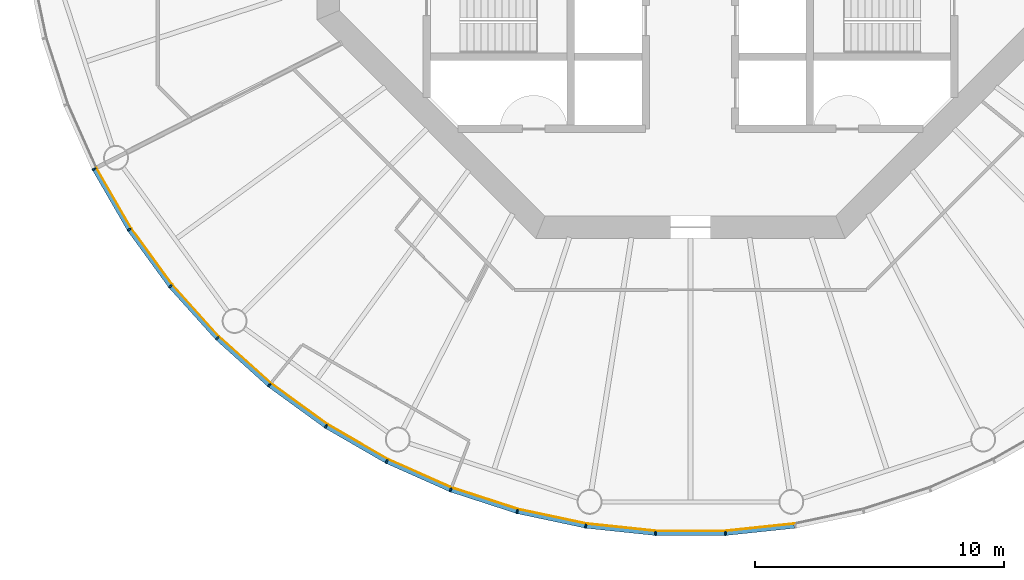
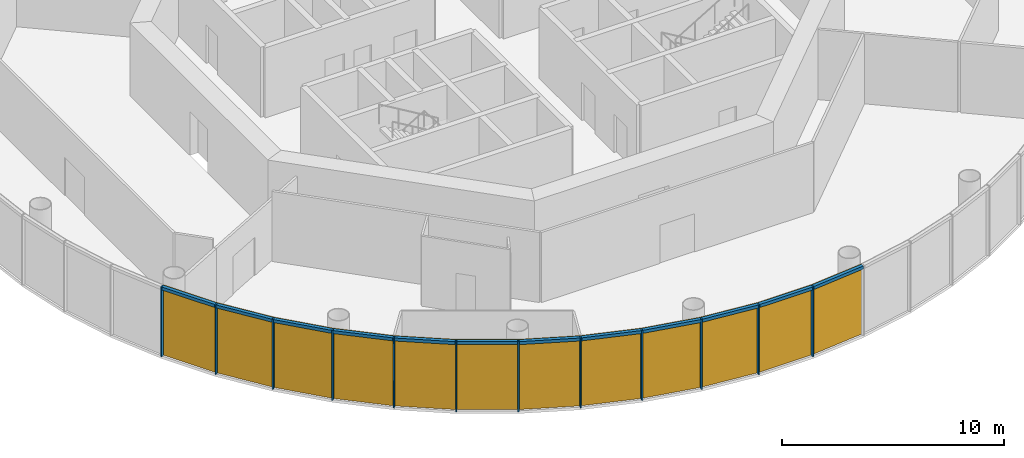
# One storey, part 6 of 12: 24 members, 4 curtain walls.
"""IFC4 building model written with IfcOpenShell, lengths in metres."""

from ifc_helpers import new_model, si_unit, direction, frame, origin, origin_2d, place, context, subcontext, project, spatial, polyline, rectangle, outline, extrude, material, layer, layer_set, material_profile, profile_set, type_object, element, aggregate, save


model = new_model("IFC4")

# Units and contexts
model_context = context("Model", 3, precision=1e-05, world=origin(), true_north=direction((0.0, 1.0)))
body_context = subcontext(model_context, "Body", "Model", "MODEL_VIEW")
ifc_project = project(units=[si_unit("LENGTHUNIT", "METRE"), si_unit("AREAUNIT", "SQUARE_METRE"), si_unit("VOLUMEUNIT", "CUBIC_METRE"), si_unit("PLANEANGLEUNIT", "RADIAN"), si_unit("MASSUNIT", "GRAM", prefix="KILO")], contexts=[model_context])

# Member
ifc_material_1 = material(Name="Anodised aluminium", Category="aluminium")
ifc_material_profile_1 = material_profile(ifc_material_1, rectangle(XDim=0.06005859375, YDim=0.169921875, at=origin_2d()), Name="Mullion 60 x 170 mm anodised aluminium")
ifc_profile_set_1 = profile_set([ifc_material_profile_1], Name="Anodised aluminium")
member_type_1 = type_object("IfcMemberType", Name="Mullion 60 x 170 mm anodised aluminium", PredefinedType="MULLION", material=ifc_profile_set_1)
site_placement = place(None, origin())
building_placement = place(site_placement, origin())
storey_placement = place(building_placement, frame((0.0, 0.0, 210.0)))
member_1_placement = place(storey_placement, frame((66.04541015625, 67.79443359375, 0.0), z_axis=(0.0, 0.0, 1.0), x_axis=(0.45399049974, -0.891006524188, 0.0)))
member_1 = element("IfcMember", 1, at=member_1_placement, type_object=member_type_1, Name="MULLION L48-33", PredefinedType="MULLION", context=body_context, shape_type="SweptSolid", body=[
    extrude(rectangle(XDim=0.06005859375, YDim=0.169921875, at=origin_2d()), origin(), (0.0, 0.0, 1.0), 3.85009765625),
])

member_2_placement = place(storey_placement, frame((67.452392578125, 65.357421875, 0.0), z_axis=(0.0, 0.0, 1.0), x_axis=(0.544639035015, -0.838670567945, 0.0)))
member_2 = element("IfcMember", 2, at=member_2_placement, type_object=member_type_1, Name="MULLION L48-34", PredefinedType="MULLION", context=body_context, shape_type="SweptSolid", body=[
    extrude(rectangle(XDim=0.06005859375, YDim=0.169921875, at=origin_2d()), origin(), (0.0, 0.0, 1.0), 3.85009765625),
])

member_3_placement = place(storey_placement, frame((69.1064453125, 63.080810546875, 0.0), z_axis=(0.0, 0.0, 1.0), x_axis=(0.62932039105, -0.777145961457, 0.0)))
member_3 = element("IfcMember", 3, at=member_3_placement, type_object=member_type_1, Name="MULLION L48-35", PredefinedType="MULLION", context=body_context, shape_type="SweptSolid", body=[
    extrude(rectangle(XDim=0.06005859375, YDim=0.169921875, at=origin_2d()), origin(), (0.0, 0.0, 1.0), 3.85009765625),
])

member_4_placement = place(storey_placement, frame((70.989501953125, 60.989501953125, 0.0), z_axis=(0.0, 0.0, 1.0), x_axis=(0.707106781187, -0.707106781187, 0.0)))
member_4 = element("IfcMember", 4, at=member_4_placement, type_object=member_type_1, Name="MULLION L48-36", PredefinedType="MULLION", context=body_context, shape_type="SweptSolid", body=[
    extrude(rectangle(XDim=0.06005859375, YDim=0.169921875, at=origin_2d()), origin(), (0.0, 0.0, 1.0), 3.85009765625),
])

member_5_placement = place(storey_placement, frame((73.080810546875, 59.1064453125, 0.0), z_axis=(0.0, 0.0, 1.0), x_axis=(0.777145961457, -0.62932039105, 0.0)))
member_5 = element("IfcMember", 5, at=member_5_placement, type_object=member_type_1, Name="MULLION L48-37", PredefinedType="MULLION", context=body_context, shape_type="SweptSolid", body=[
    extrude(rectangle(XDim=0.06005859375, YDim=0.169921875, at=origin_2d()), origin(), (0.0, 0.0, 1.0), 3.85009765625),
])

member_6_placement = place(storey_placement, frame((75.357421875, 57.452392578125, 0.0), z_axis=(0.0, 0.0, 1.0), x_axis=(0.838670567945, -0.544639035015, 0.0)))
member_6 = element("IfcMember", 6, at=member_6_placement, type_object=member_type_1, Name="MULLION L48-38", PredefinedType="MULLION", context=body_context, shape_type="SweptSolid", body=[
    extrude(rectangle(XDim=0.06005859375, YDim=0.169921875, at=origin_2d()), origin(), (0.0, 0.0, 1.0), 3.85009765625),
])

member_7_placement = place(storey_placement, frame((77.79443359375, 56.04541015625, 0.0), z_axis=(0.0, 0.0, 1.0), x_axis=(0.891006524188, -0.45399049974, 0.0)))
member_7 = element("IfcMember", 7, at=member_7_placement, type_object=member_type_1, Name="MULLION L48-39", PredefinedType="MULLION", context=body_context, shape_type="SweptSolid", body=[
    extrude(rectangle(XDim=0.06005859375, YDim=0.169921875, at=origin_2d()), origin(), (0.0, 0.0, 1.0), 3.85009765625),
])

member_8_placement = place(storey_placement, frame((80.365234375, 54.900634765625, 0.0), z_axis=(0.0, 0.0, 1.0), x_axis=(0.933580426497, -0.358367949545, 0.0)))
member_8 = element("IfcMember", 8, at=member_8_placement, type_object=member_type_1, Name="MULLION L48-40", PredefinedType="MULLION", context=body_context, shape_type="SweptSolid", body=[
    extrude(rectangle(XDim=0.06005859375, YDim=0.169921875, at=origin_2d()), origin(), (0.0, 0.0, 1.0), 3.85009765625),
])

member_9_placement = place(storey_placement, frame((83.041748046875, 54.031005859375, 0.0), z_axis=(0.0, 0.0, 1.0), x_axis=(0.965925826289, -0.258819045103, 0.0)))
member_9 = element("IfcMember", 9, at=member_9_placement, type_object=member_type_1, Name="MULLION L48-41", PredefinedType="MULLION", context=body_context, shape_type="SweptSolid", body=[
    extrude(rectangle(XDim=0.06005859375, YDim=0.169921875, at=origin_2d()), origin(), (0.0, 0.0, 1.0), 3.85009765625),
])

member_10_placement = place(storey_placement, frame((85.794189453125, 53.446044921875, 0.0), z_axis=(0.0, 0.0, 1.0), x_axis=(0.987688340595, -0.15643446504, 0.0)))
member_10 = element("IfcMember", 10, at=member_10_placement, type_object=member_type_1, Name="MULLION L48-42", PredefinedType="MULLION", context=body_context, shape_type="SweptSolid", body=[
    extrude(rectangle(XDim=0.06005859375, YDim=0.169921875, at=origin_2d()), origin(), (0.0, 0.0, 1.0), 3.85009765625),
])

member_11_placement = place(storey_placement, frame((88.593017578125, 53.15185546875, 0.0), z_axis=(0.0, 0.0, 1.0), x_axis=(0.998629534755, -0.052335956243, 0.0)))
member_11 = element("IfcMember", 11, at=member_11_placement, type_object=member_type_1, Name="MULLION L48-43", PredefinedType="MULLION", context=body_context, shape_type="SweptSolid", body=[
    extrude(rectangle(XDim=0.06005859375, YDim=0.169921875, at=origin_2d()), origin(), (0.0, 0.0, 1.0), 3.85009765625),
])

member_12_placement = place(storey_placement, frame((91.406982421875, 53.15185546875, 0.0), z_axis=(0.0, 0.0, 1.0), x_axis=(0.998629534755, 0.052335956243, 0.0)))
member_12 = element("IfcMember", 12, at=member_12_placement, type_object=member_type_1, Name="MULLION L48-44", PredefinedType="MULLION", context=body_context, shape_type="SweptSolid", body=[
    extrude(rectangle(XDim=0.06005859375, YDim=0.169921875, at=origin_2d()), origin(), (0.0, 0.0, 1.0), 3.85009765625),
])

ifc_material_2 = material(Name="Anodised aluminium", Category="aluminium")
ifc_material_profile_2 = material_profile(ifc_material_2, rectangle(XDim=0.169921875, YDim=0.1650390625, at=origin_2d()), Name="Transom 165 x 170 mm anodised aluminium")
ifc_profile_set_2 = profile_set([ifc_material_profile_2], Name="Anodised aluminium")
member_type_2 = type_object("IfcMemberType", Name="Transom 165 x 170 mm anodised aluminium", PredefinedType="USERDEFINED", material=ifc_profile_set_2)
member_13_placement = place(storey_placement, frame((66.0625, 67.7646484375, 3.767578125), z_axis=(0.49998419723, -0.866034527326, 0.0), x_axis=(0.866034527326, 0.49998419723, 0.0)))
member_13 = element("IfcMember", 13, at=member_13_placement, type_object=member_type_2, Name="TRANSOM L48-33", ObjectType="TRANSOM", PredefinedType="USERDEFINED", context=body_context, shape_type="SweptSolid", body=[
    extrude(rectangle(XDim=0.169921875, YDim=0.1650390625, at=origin_2d()), origin(), (0.0, 0.0, 1.0), 2.7451171875),
])

member_14_placement = place(storey_placement, frame((67.472412109375, 65.329345703125, 3.767578125), z_axis=(0.587864947412, -0.808959086484, 0.0), x_axis=(0.808959086484, 0.587864947412, 0.0)))
member_14 = element("IfcMember", 14, at=member_14_placement, type_object=member_type_2, Name="TRANSOM L48-34", ObjectType="TRANSOM", PredefinedType="USERDEFINED", context=body_context, shape_type="SweptSolid", body=[
    extrude(rectangle(XDim=0.169921875, YDim=0.1650390625, at=origin_2d()), origin(), (0.0, 0.0, 1.0), 2.7451171875),
])

member_15_placement = place(storey_placement, frame((69.12939453125, 63.054931640625, 3.767578125), z_axis=(0.669141598561, -0.743134927907, 0.0), x_axis=(0.743134927907, 0.669141598561, 0.0)))
member_15 = element("IfcMember", 15, at=member_15_placement, type_object=member_type_2, Name="TRANSOM L48-35", ObjectType="TRANSOM", PredefinedType="USERDEFINED", context=body_context, shape_type="SweptSolid", body=[
    extrude(rectangle(XDim=0.169921875, YDim=0.1650390625, at=origin_2d()), origin(), (0.0, 0.0, 1.0), 2.7451171875),
])

member_16_placement = place(storey_placement, frame((71.014892578125, 60.96630859375, 3.767578125), z_axis=(0.743134927907, -0.669141598561, 0.0), x_axis=(0.669141598561, 0.743134927907, 0.0)))
member_16 = element("IfcMember", 16, at=member_16_placement, type_object=member_type_2, Name="TRANSOM L48-36", ObjectType="TRANSOM", PredefinedType="USERDEFINED", context=body_context, shape_type="SweptSolid", body=[
    extrude(rectangle(XDim=0.169921875, YDim=0.1650390625, at=origin_2d()), origin(), (0.0, 0.0, 1.0), 2.7451171875),
])

member_17_placement = place(storey_placement, frame((73.108642578125, 59.086181640625, 3.767578125), z_axis=(0.808959086484, -0.587864947412, 0.0), x_axis=(0.587864947412, 0.808959086484, 0.0)))
member_17 = element("IfcMember", 17, at=member_17_placement, type_object=member_type_2, Name="TRANSOM L48-37", ObjectType="TRANSOM", PredefinedType="USERDEFINED", context=body_context, shape_type="SweptSolid", body=[
    extrude(rectangle(XDim=0.169921875, YDim=0.1650390625, at=origin_2d()), origin(), (0.0, 0.0, 1.0), 2.7451171875),
])

member_18_placement = place(storey_placement, frame((75.38720703125, 57.43505859375, 3.767578125), z_axis=(0.866034527326, -0.49998419723, 0.0), x_axis=(0.49998419723, 0.866034527326, 0.0)))
member_18 = element("IfcMember", 18, at=member_18_placement, type_object=member_type_2, Name="TRANSOM L48-38", ObjectType="TRANSOM", PredefinedType="USERDEFINED", context=body_context, shape_type="SweptSolid", body=[
    extrude(rectangle(XDim=0.169921875, YDim=0.1650390625, at=origin_2d()), origin(), (0.0, 0.0, 1.0), 2.7451171875),
])

member_19_placement = place(storey_placement, frame((77.825927734375, 56.03125, 3.767578125), z_axis=(0.913525267704, -0.406781987391, 0.0), x_axis=(0.406781987391, 0.913525267704, 0.0)))
member_19 = element("IfcMember", 19, at=member_19_placement, type_object=member_type_2, Name="TRANSOM L48-39", ObjectType="TRANSOM", PredefinedType="USERDEFINED", context=body_context, shape_type="SweptSolid", body=[
    extrude(rectangle(XDim=0.169921875, YDim=0.1650390625, at=origin_2d()), origin(), (0.0, 0.0, 1.0), 2.7451171875),
])

member_20_placement = place(storey_placement, frame((80.39794921875, 54.889892578125, 3.767578125), z_axis=(0.951048445774, -0.309041831781, 0.0), x_axis=(0.309041831781, 0.951048445774, 0.0)))
member_20 = element("IfcMember", 20, at=member_20_placement, type_object=member_type_2, Name="TRANSOM L48-40", ObjectType="TRANSOM", PredefinedType="USERDEFINED", context=body_context, shape_type="SweptSolid", body=[
    extrude(rectangle(XDim=0.169921875, YDim=0.1650390625, at=origin_2d()), origin(), (0.0, 0.0, 1.0), 2.7451171875),
])

member_21_placement = place(storey_placement, frame((83.075439453125, 54.02392578125, 3.767578125), z_axis=(0.97814212115, -0.207937468562, 0.0), x_axis=(0.207937468562, 0.97814212115, 0.0)))
member_21 = element("IfcMember", 21, at=member_21_placement, type_object=member_type_2, Name="TRANSOM L48-41", ObjectType="TRANSOM", PredefinedType="USERDEFINED", context=body_context, shape_type="SweptSolid", body=[
    extrude(rectangle(XDim=0.169921875, YDim=0.1650390625, at=origin_2d()), origin(), (0.0, 0.0, 1.0), 2.7451171875),
])

member_22_placement = place(storey_placement, frame((85.82861328125, 53.4423828125, 3.767578125), z_axis=(0.994515195344, -0.104592190102, 0.0), x_axis=(0.104592190102, 0.994515195344, 0.0)))
member_22 = element("IfcMember", 22, at=member_22_placement, type_object=member_type_2, Name="TRANSOM L48-42", ObjectType="TRANSOM", PredefinedType="USERDEFINED", context=body_context, shape_type="SweptSolid", body=[
    extrude(rectangle(XDim=0.169921875, YDim=0.1650390625, at=origin_2d()), origin(), (0.0, 0.0, 1.0), 2.7451171875),
])

member_23_placement = place(storey_placement, frame((88.62744140625, 53.151611328125, 3.767578125), z_axis=(1.0, 0.0, 0.0), x_axis=(0.0, 1.0, 0.0)))
member_23 = element("IfcMember", 23, at=member_23_placement, type_object=member_type_2, Name="TRANSOM L48-43", ObjectType="TRANSOM", PredefinedType="USERDEFINED", context=body_context, shape_type="SweptSolid", body=[
    extrude(rectangle(XDim=0.169921875, YDim=0.1650390625, at=origin_2d()), origin(), (0.0, 0.0, 1.0), 2.7451171875),
])

member_24_placement = place(storey_placement, frame((91.44140625, 53.1552734375, 3.767578125), z_axis=(0.994515195344, 0.104592190102, 0.0), x_axis=(-0.104592190102, 0.994515195344, 0.0)))
member_24 = element("IfcMember", 24, at=member_24_placement, type_object=member_type_2, Name="TRANSOM L48-44", ObjectType="TRANSOM", PredefinedType="USERDEFINED", context=body_context, shape_type="SweptSolid", body=[
    extrude(rectangle(XDim=0.169921875, YDim=0.1650390625, at=origin_2d()), origin(), (0.0, 0.0, 1.0), 2.7451171875),
])

# Site, building, storey
site = spatial("IfcSite", under=ifc_project, at=site_placement, CompositionType="ELEMENT")
building = spatial("IfcBuilding", under=site, at=building_placement, Name="Entoto Ring Tower", CompositionType="ELEMENT")
storey = spatial("IfcBuildingStorey", under=building, at=storey_placement, Name="L48", CompositionType="ELEMENT", Elevation=210.0)

# Curtain wall
ifc_material_3 = material(Name="Clear low-iron glass", Category="glass")
ifc_layer = layer(ifc_material_3, 0.031982421875)
ifc_layer_set = layer_set([ifc_layer], Name="Clear low-iron glass")
curtain_wall_type = type_object("IfcCurtainWallType", Name="Curtain wall system CW4 glazing 32 mm", PredefinedType="NOTDEFINED", material=ifc_layer_set)
curtain_wall_1_placement = place(storey_placement, origin())
curtain_wall_1 = element("IfcCurtainWall", 25, at=curtain_wall_1_placement, inside=storey, type_object=curtain_wall_type, Name="CW4 L48-12", PredefinedType="NOTDEFINED", context=body_context, shape_type="SweptSolid", body=[
    extrude(outline(polyline([(66.12109375, 67.8330078125), (67.523681640625, 65.403564453125), (69.172607421875, 63.13427734375), (71.049560546875, 61.049560546875), (71.072265625, 61.072265625), (69.197509765625, 63.154296875), (67.550537109375, 65.421142578125), (66.149658203125, 67.84765625), (66.12109375, 67.8330078125)])), origin(), (0.0, 0.0, 1.0), 3.85009765625),
])

aggregate(curtain_wall_1, [member_1, member_2, member_3, member_13, member_14, member_15])

curtain_wall_2_placement = place(storey_placement, origin())
curtain_wall_2 = element("IfcCurtainWall", 26, at=curtain_wall_2_placement, inside=storey, type_object=curtain_wall_type, Name="CW4 L48-13", PredefinedType="NOTDEFINED", context=body_context, shape_type="SweptSolid", body=[
    extrude(outline(polyline([(71.049560546875, 61.049560546875), (73.13427734375, 59.172607421875), (75.403564453125, 57.523681640625), (77.8330078125, 56.12109375), (77.84765625, 56.149658203125), (75.421142578125, 57.550537109375), (73.154296875, 59.197509765625), (71.072265625, 61.072265625), (71.049560546875, 61.049560546875)])), origin(), (0.0, 0.0, 1.0), 3.85009765625),
])

aggregate(curtain_wall_2, [member_4, member_5, member_6, member_16, member_17, member_18])

curtain_wall_3_placement = place(storey_placement, origin())
curtain_wall_3 = element("IfcCurtainWall", 27, at=curtain_wall_3_placement, inside=storey, type_object=curtain_wall_type, Name="CW4 L48-14", PredefinedType="NOTDEFINED", context=body_context, shape_type="SweptSolid", body=[
    extrude(outline(polyline([(77.8330078125, 56.12109375), (80.395751953125, 54.97998046875), (83.063720703125, 54.11328125), (85.8076171875, 53.530029296875), (85.8125, 53.5615234375), (83.072021484375, 54.14404296875), (80.4072265625, 55.010009765625), (77.84765625, 56.149658203125), (77.8330078125, 56.12109375)])), origin(), (0.0, 0.0, 1.0), 3.85009765625),
])

aggregate(curtain_wall_3, [member_7, member_8, member_9, member_19, member_20, member_21])

curtain_wall_4_placement = place(storey_placement, origin())
curtain_wall_4 = element("IfcCurtainWall", 28, at=curtain_wall_4_placement, inside=storey, type_object=curtain_wall_type, Name="CW4 L48-15", PredefinedType="NOTDEFINED", context=body_context, shape_type="SweptSolid", body=[
    extrude(outline(polyline([(85.8076171875, 53.530029296875), (88.597412109375, 53.23681640625), (91.402587890625, 53.23681640625), (94.1923828125, 53.530029296875), (94.1875, 53.5615234375), (91.40087890625, 53.268798828125), (88.59912109375, 53.268798828125), (85.8125, 53.5615234375), (85.8076171875, 53.530029296875)])), origin(), (0.0, 0.0, 1.0), 3.85009765625),
])

aggregate(curtain_wall_4, [member_10, member_11, member_12, member_22, member_23, member_24])

save(model, "model.ifc")
